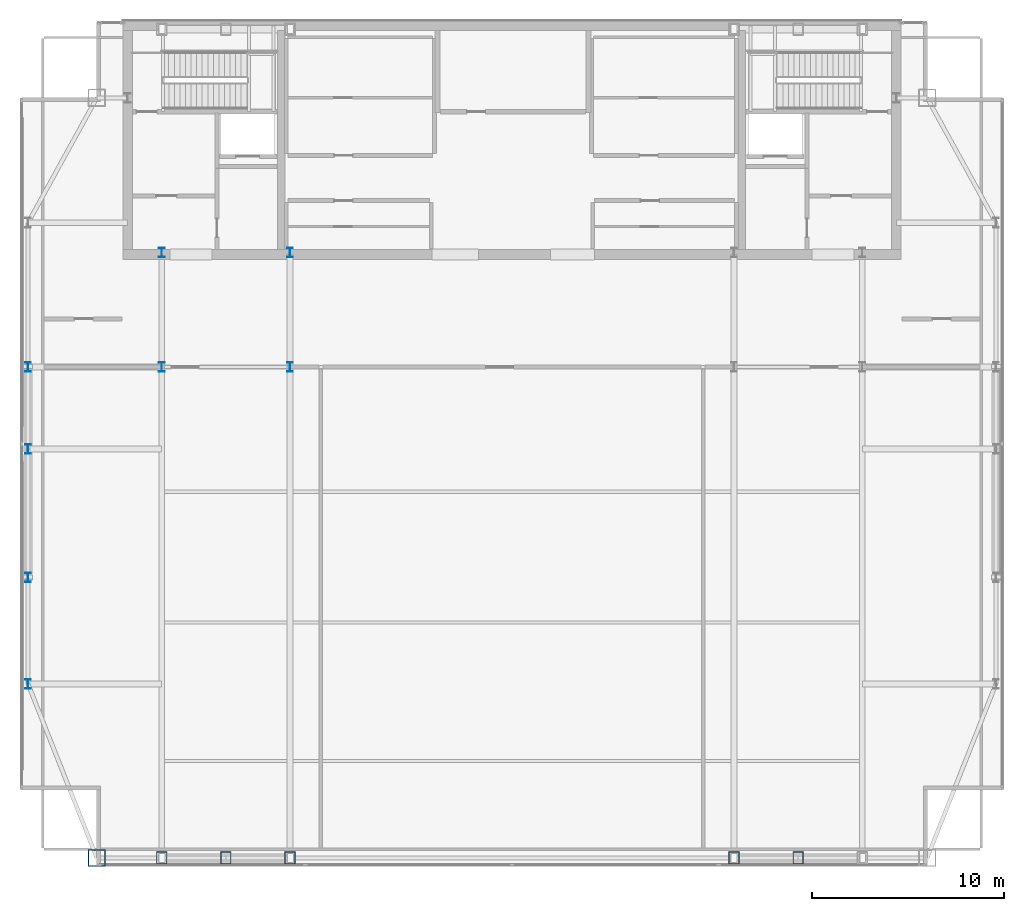
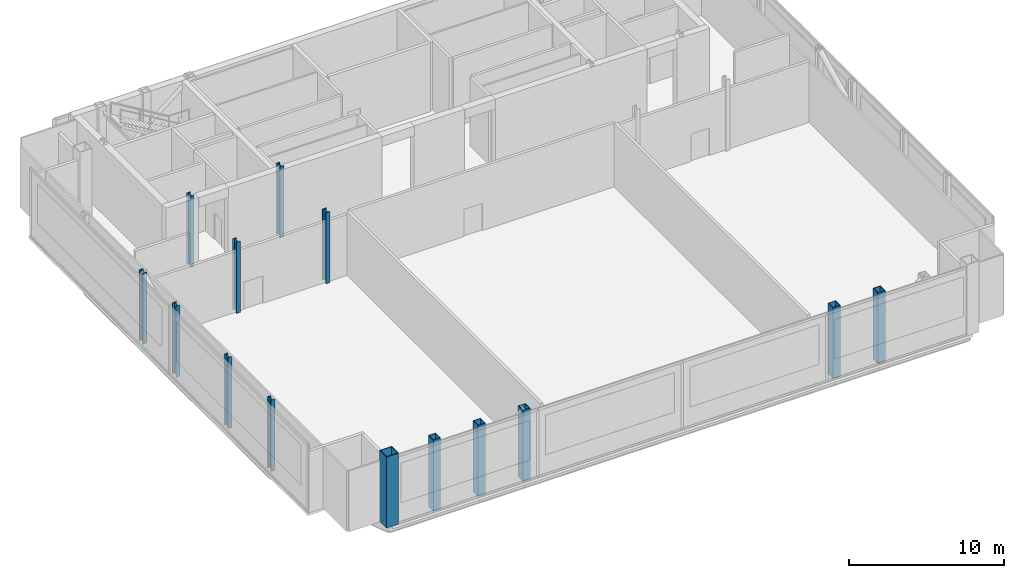
# One storey, part 1 of 22: 14 columns.
"""IFC4 building model written with IfcOpenShell, lengths in metres."""

from ifc_helpers import new_model, si_unit, direction, frame, origin, origin_2d, place, context, subcontext, project, spatial, hollow_rectangle, i_section, extrude, material, material_profile, profile_set, type_object, element, save


model = new_model("IFC4")

# Units and contexts
model_context = context("Model", 3, precision=1e-05, world=origin(), true_north=direction((0.0, 1.0)))
body_context = subcontext(model_context, "Body", "Model", "MODEL_VIEW")
ifc_project = project(units=[si_unit("LENGTHUNIT", "METRE"), si_unit("AREAUNIT", "SQUARE_METRE"), si_unit("VOLUMEUNIT", "CUBIC_METRE"), si_unit("PLANEANGLEUNIT", "RADIAN"), si_unit("MASSUNIT", "GRAM", prefix="KILO")], contexts=[model_context])

# Site, building, storey
site_placement = place(None, origin())
site = spatial("IfcSite", under=ifc_project, at=site_placement, CompositionType="ELEMENT")
building_placement = place(site_placement, origin())
building = spatial("IfcBuilding", under=site, at=building_placement, Name="Khoronbel Lancet Exchange", CompositionType="ELEMENT")
storey_placement = place(building_placement, frame((0.0, 0.0, 373.0)))
storey = spatial("IfcBuildingStorey", under=building, at=storey_placement, Name="L95", CompositionType="ELEMENT", Elevation=373.0)

# Columns
ifc_material_1 = material(Name="Steel S355", Category="steel")
ifc_material_profile_1 = material_profile(ifc_material_1, i_section(OverallWidth=0.300048828125, OverallDepth=0.5, WebThickness=0.014404296875, FlangeThickness=0.028076171875, at=origin_2d()), Name="HEB 500")
ifc_profile_set_1 = profile_set([ifc_material_profile_1], Name="Steel S355")
column_type_1 = type_object("IfcColumnType", Name="COL-CRC1", PredefinedType="COLUMN", material=ifc_profile_set_1)
for number, where, z_axis, x_axis, name in (
    (1, (11.27001953125, 19.199951171875, 0.0), (0.0, 0.0, 1.0), (1.0, 0.0, 0.0), "CROWN FRAME column WC-1 L95"),
    (2, (11.27001953125, 24.75, 0.0), (0.0, 0.0, 1.0), (1.0, 0.0, 0.0), "CROWN FRAME column WC-2 L95"),
    (3, (11.27001953125, 31.425048828125, 0.0), (0.0, 0.0, 1.0), (1.0, 0.0, 0.0), "CROWN FRAME column WC-M L95"),
    (4, (11.27001953125, 35.699951171875, 0.0), (0.0, 0.0, 1.0), (1.0, 0.0, 0.0), "CROWN FRAME column WC-3 L95"),
    (5, (18.22509765625, 35.699951171875, 0.0), (0.0, 0.0, 1.0), (1.0, 0.0, 0.0), "CROWN FRAME spine column TC1 L95"),
    (6, (18.22509765625, 41.64990234375, 0.0), (0.0, 0.0, 1.0), (1.0, 0.0, 0.0), "Core-embedded steel column CTC1 L95"),
    (7, (24.89990234375, 35.699951171875, 0.0), (0.0, 0.0, 1.0), (1.0, 0.0, 0.0), "CROWN FRAME spine column TC2 L95"),
    (8, (24.89990234375, 41.64990234375, 0.0), (0.0, 0.0, 1.0), (1.0, 0.0, 0.0), "Core-embedded steel column CTC2 L95"),
):
    element("IfcColumn", number, at=place(storey_placement, frame(where, z_axis=z_axis, x_axis=x_axis)), inside=storey, type_object=column_type_1, Name=name, PredefinedType="COLUMN", context=body_context, shape_type="SweptSolid", body=[
        extrude(i_section(OverallWidth=0.300048828125, OverallDepth=0.5, WebThickness=0.014404296875, FlangeThickness=0.028076171875, at=origin_2d()), origin(), (0.0, 0.0, 1.0), 5.60009765625),
    ])
ifc_material_2 = material(Name="Steel S460", Category="steel")
ifc_material_profile_2 = material_profile(ifc_material_2, hollow_rectangle(XDim=0.550048828125, YDim=0.64990234375, WallThickness=0.0400390625, at=origin_2d()), Name="BOX 650x550x40")
ifc_profile_set_2 = profile_set([ifc_material_profile_2], Name="Steel S460")
column_type_2 = type_object("IfcColumnType", Name="COL-EC4", PredefinedType="COLUMN", material=ifc_profile_set_2)
for number, where, z_axis, x_axis, name in (
    (9, (18.22509765625, 10.14990234375, 0.0), (0.0, 0.0, 1.0), (1.0, 0.0, 0.0), "CROWN FRAME column SC-W1 L95"),
    (10, (21.5625, 10.14990234375, 0.0), (0.0, 0.0, 1.0), (1.0, 0.0, 0.0), "CROWN FRAME column SC-WM L95"),
    (11, (24.89990234375, 10.14990234375, 0.0), (0.0, 0.0, 1.0), (1.0, 0.0, 0.0), "CROWN FRAME column SC-W2 L95"),
    (12, (48.0, 10.14990234375, 0.0), (0.0, 0.0, 1.0), (1.0, 0.0, 0.0), "CROWN FRAME column SC-E1 L95"),
    (13, (51.33740234375, 10.14990234375, 0.0), (0.0, 0.0, 1.0), (1.0, 0.0, 0.0), "CROWN FRAME column SC-EM L95"),
):
    element("IfcColumn", number, at=place(storey_placement, frame(where, z_axis=z_axis, x_axis=x_axis)), inside=storey, type_object=column_type_2, Name=name, PredefinedType="COLUMN", context=body_context, shape_type="SweptSolid", body=[
        extrude(hollow_rectangle(XDim=0.550048828125, YDim=0.64990234375, WallThickness=0.0400390625, at=origin_2d()), origin(), (0.0, 0.0, 1.0), 5.60009765625),
    ])
ifc_material_profile_3 = material_profile(ifc_material_2, hollow_rectangle(XDim=0.89990234375, YDim=0.89990234375, WallThickness=0.050048828125, at=origin_2d()), Name="BOX 900x900x50")
ifc_profile_set_3 = profile_set([ifc_material_profile_3], Name="Steel S460")
column_type_3 = type_object("IfcColumnType", Name="COL-MC7", PredefinedType="COLUMN", material=ifc_profile_set_3)
column_placement = place(storey_placement, frame((14.85009765625, 10.14990234375, 0.0), z_axis=(0.0, 0.0, 1.0), x_axis=(1.0, 0.0, 0.0)))
element("IfcColumn", 14, at=column_placement, inside=storey, type_object=column_type_3, Name="CROWN FRAME column MC-SW L95", PredefinedType="COLUMN", context=body_context, shape_type="SweptSolid", body=[
    extrude(hollow_rectangle(XDim=0.89990234375, YDim=0.89990234375, WallThickness=0.050048828125, at=origin_2d()), origin(), (0.0, 0.0, 1.0), 5.60009765625),
])

save(model, "model.ifc")
